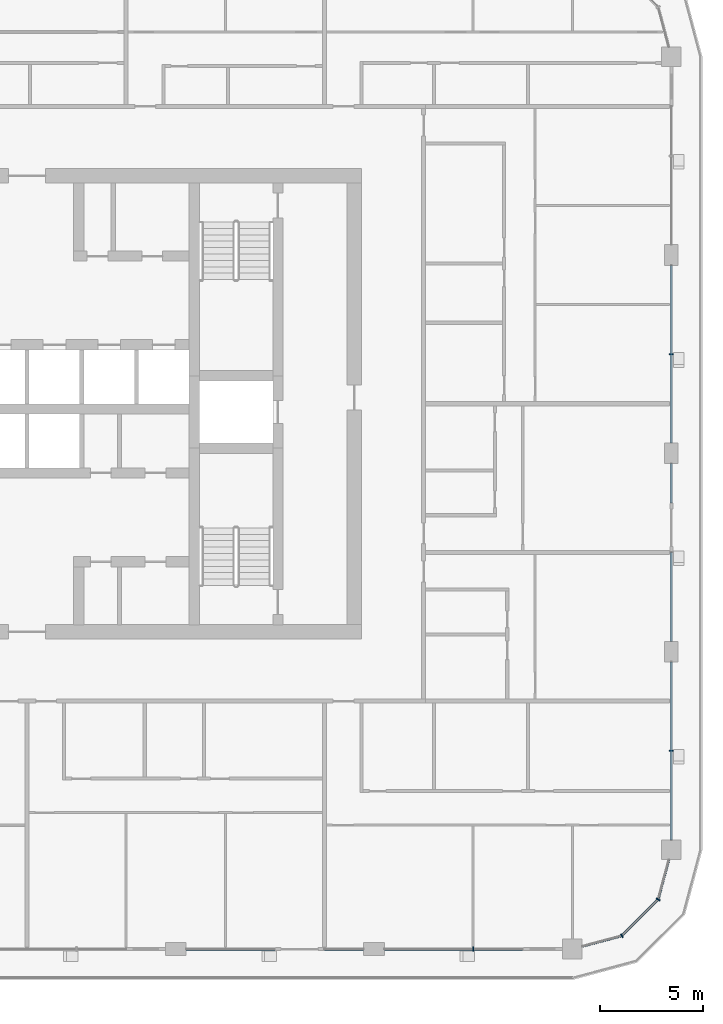
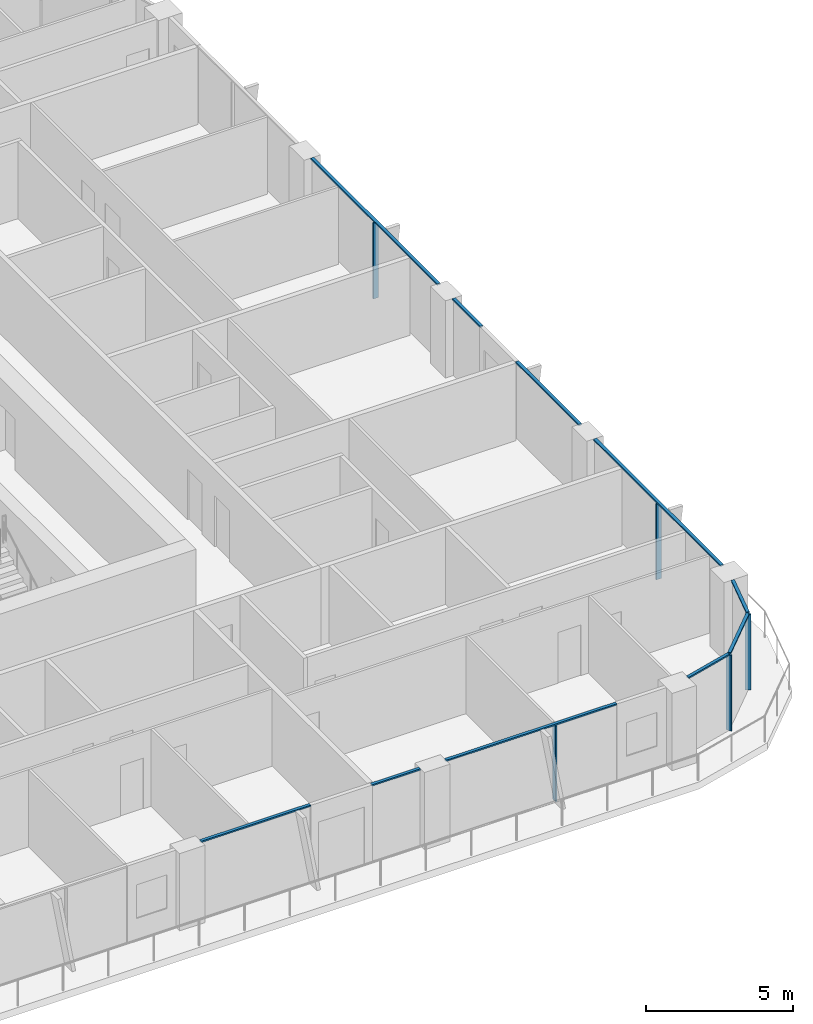
# One storey, part 4 of 22: 15 members, 6 elements without a shape of their own.
"""IFC4 building model written with IfcOpenShell, lengths in metres."""

from ifc_helpers import new_model, si_unit, direction, frame, origin, origin_2d, place, context, subcontext, project, spatial, rectangle, extrude, material, layer, layer_set, material_profile, profile_set, type_object, element, aggregate, save


model = new_model("IFC4")

# Units and contexts
model_context = context("Model", 3, precision=1e-05, world=origin(), true_north=direction((0.0, 1.0)))
body_context = subcontext(model_context, "Body", "Model", "MODEL_VIEW")
ifc_project = project(units=[si_unit("LENGTHUNIT", "METRE"), si_unit("AREAUNIT", "SQUARE_METRE"), si_unit("VOLUMEUNIT", "CUBIC_METRE"), si_unit("PLANEANGLEUNIT", "RADIAN"), si_unit("MASSUNIT", "GRAM", prefix="KILO")], contexts=[model_context])

# Site, building, storey
site_placement = place(None, origin())
site = spatial("IfcSite", under=ifc_project, at=site_placement, CompositionType="ELEMENT")
building_placement = place(site_placement, origin())
building = spatial("IfcBuilding", under=site, at=building_placement, Name="Madar Terraces", CompositionType="ELEMENT")
storey_placement = place(building_placement, frame((0.0, 0.0, 189.39990234375)))
storey = spatial("IfcBuildingStorey", under=building, at=storey_placement, Name="L49", CompositionType="ELEMENT", Elevation=189.39990234375)

# Curtain wall, member
ifc_material_1 = material(Name="Glass, ceramic frit dark grey, with black aluminium frame", Category="aluminium")
ifc_layer = layer(ifc_material_1, 0.199951171875)
ifc_layer_set = layer_set([ifc_layer], Name="Facade curtain wall, fritted glass")
curtain_wall_type = type_object("IfcCurtainWallType", Name="Facade curtain wall, fritted glass", PredefinedType="NOTDEFINED", material=ifc_layer_set)
curtain_wall_1_placement = place(storey_placement, origin())
curtain_wall_1 = element("IfcCurtainWall", 1, at=curtain_wall_1_placement, inside=storey, type_object=curtain_wall_type, Name="Outer skin curtain wall south bay 5", PredefinedType="NOTDEFINED")
ifc_material_2 = material(Name="Aluminium, black anodised", Category="aluminium")
ifc_material_profile_1 = material_profile(ifc_material_2, rectangle(XDim=0.199951171875, YDim=0.06005859375, at=origin_2d()), Name="Facade mullion 60x200")
ifc_profile_set_1 = profile_set([ifc_material_profile_1], Name="Aluminium, black anodised")
member_type_1 = type_object("IfcMemberType", Name="Facade mullion 60x200", PredefinedType="MULLION", material=ifc_profile_set_1)
member_1_placement = place(storey_placement, frame((52.800048828125, 0.0, 0.0), z_axis=(0.0, 0.0, 1.0), x_axis=(0.0, 1.0, 0.0)))
member_1 = element("IfcMember", 2, at=member_1_placement, type_object=member_type_1, Name="Mullion 1", PredefinedType="MULLION", context=body_context, shape_type="SweptSolid", body=[
    extrude(rectangle(XDim=0.199951171875, YDim=0.06005859375, at=origin_2d()), origin(), (0.0, 0.0, 1.0), 3.14013671875),
])

curtain_wall_2_placement = place(storey_placement, origin())
curtain_wall_2 = element("IfcCurtainWall", 3, at=curtain_wall_2_placement, inside=storey, type_object=curtain_wall_type, Name="Outer skin curtain wall east bay 1", PredefinedType="NOTDEFINED")
member_2_placement = place(storey_placement, frame((62.39990234375, 9.60009765625, 0.0), z_axis=(0.0, 0.0, 1.0), x_axis=(-1.0, 0.0, 0.0)))
member_2 = element("IfcMember", 4, at=member_2_placement, type_object=member_type_1, Name="Mullion 1", PredefinedType="MULLION", context=body_context, shape_type="SweptSolid", body=[
    extrude(rectangle(XDim=0.199951171875, YDim=0.06005859375, at=origin_2d()), origin(), (0.0, 0.0, 1.0), 3.14013671875),
])

curtain_wall_3_placement = place(storey_placement, origin())
curtain_wall_3 = element("IfcCurtainWall", 5, at=curtain_wall_3_placement, inside=storey, type_object=curtain_wall_type, Name="Outer skin curtain wall east bay 3", PredefinedType="NOTDEFINED")
member_3_placement = place(storey_placement, frame((62.39990234375, 28.800048828125, 0.0), z_axis=(0.0, 0.0, 1.0), x_axis=(-1.0, 0.0, 0.0)))
member_3 = element("IfcMember", 6, at=member_3_placement, type_object=member_type_1, Name="Mullion 1", PredefinedType="MULLION", context=body_context, shape_type="SweptSolid", body=[
    extrude(rectangle(XDim=0.199951171875, YDim=0.06005859375, at=origin_2d()), origin(), (0.0, 0.0, 1.0), 3.14013671875),
])

# Curtain wall, members
curtain_wall_4_placement = place(storey_placement, origin())
curtain_wall_4 = element("IfcCurtainWall", 7, at=curtain_wall_4_placement, inside=storey, type_object=curtain_wall_type, Name="Outer skin curtain wall south-east corner", PredefinedType="NOTDEFINED")
member_4_placement = place(storey_placement, frame((60.0, 0.64306640625, 0.0), z_axis=(0.0, 0.0, 1.0), x_axis=(-0.499999989586, 0.866025409797, 0.0)))
member_4 = element("IfcMember", 8, at=member_4_placement, type_object=member_type_1, Name="Mullion 1", PredefinedType="MULLION", context=body_context, shape_type="SweptSolid", body=[
    extrude(rectangle(XDim=0.199951171875, YDim=0.06005859375, at=origin_2d()), origin(), (0.0, 0.0, 1.0), 3.14013671875),
])
member_5_placement = place(storey_placement, frame((61.7568359375, 2.39990234375, 0.0), z_axis=(0.0, 0.0, 1.0), x_axis=(-0.866025409797, 0.499999989586, 0.0)))
member_5 = element("IfcMember", 9, at=member_5_placement, type_object=member_type_1, Name="Mullion 2", PredefinedType="MULLION", context=body_context, shape_type="SweptSolid", body=[
    extrude(rectangle(XDim=0.199951171875, YDim=0.06005859375, at=origin_2d()), origin(), (0.0, 0.0, 1.0), 3.14013671875),
])

curtain_wall_5_placement = place(storey_placement, origin())
curtain_wall_5 = element("IfcCurtainWall", 10, at=curtain_wall_5_placement, inside=storey, type_object=curtain_wall_type, Name="Outer skin curtain wall south bay 4", PredefinedType="NOTDEFINED")
ifc_material_3 = material(Name="Aluminium, black anodised", Category="aluminium")
ifc_material_profile_2 = material_profile(ifc_material_3, rectangle(XDim=0.1201171875, YDim=0.06005859375, at=origin_2d()), Name="Facade transom 60x120")
ifc_profile_set_2 = profile_set([ifc_material_profile_2], Name="Aluminium, black anodised")
member_type_2 = type_object("IfcMemberType", Name="Facade transom 60x120", PredefinedType="USERDEFINED", material=ifc_profile_set_2)
member_6_placement = place(storey_placement, frame((38.89990234375, 0.0, 3.170166015625), z_axis=(1.0, 0.0, 0.0), x_axis=(0.0, 1.0, 0.0)))
member_6 = element("IfcMember", 11, at=member_6_placement, type_object=member_type_2, Name="Transom 1", ObjectType="TRANSOM", PredefinedType="USERDEFINED", context=body_context, shape_type="SweptSolid", body=[
    extrude(rectangle(XDim=0.1201171875, YDim=0.06005859375, at=origin_2d()), origin(), (0.0, 0.0, 1.0), 4.300048828125),
])
member_7_placement = place(storey_placement, frame((45.60009765625, 0.0, 3.170166015625), z_axis=(1.0, 0.0, 0.0), x_axis=(0.0, 1.0, 0.0)))
member_7 = element("IfcMember", 12, at=member_7_placement, type_object=member_type_2, Name="Transom 2", ObjectType="TRANSOM", PredefinedType="USERDEFINED", context=body_context, shape_type="SweptSolid", body=[
    extrude(rectangle(XDim=0.1201171875, YDim=0.06005859375, at=origin_2d()), origin(), (0.0, 0.0, 1.0), 1.89990234375),
])
aggregate(curtain_wall_5, [member_6, member_7])

# Member
member_8_placement = place(storey_placement, frame((48.5, 0.0, 3.170166015625), z_axis=(1.0, 0.0, 0.0), x_axis=(0.0, 1.0, 0.0)))
member_8 = element("IfcMember", 13, at=member_8_placement, type_object=member_type_2, Name="Transom 1", ObjectType="TRANSOM", PredefinedType="USERDEFINED", context=body_context, shape_type="SweptSolid", body=[
    extrude(rectangle(XDim=0.1201171875, YDim=0.06005859375, at=origin_2d()), origin(), (0.0, 0.0, 1.0), 6.699951171875),
])

aggregate(curtain_wall_1, [member_1, member_8])

member_9_placement = place(storey_placement, frame((62.39990234375, 5.27490234375, 3.170166015625), z_axis=(0.0, 1.0, 0.0), x_axis=(-1.0, 0.0, 0.0)))
member_9 = element("IfcMember", 14, at=member_9_placement, type_object=member_type_2, Name="Transom 1", ObjectType="TRANSOM", PredefinedType="USERDEFINED", context=body_context, shape_type="SweptSolid", body=[
    extrude(rectangle(XDim=0.1201171875, YDim=0.06005859375, at=origin_2d()), origin(), (0.0, 0.0, 1.0), 8.625),
])

aggregate(curtain_wall_2, [member_2, member_9])

# Curtain wall, members
curtain_wall_6_placement = place(storey_placement, origin())
curtain_wall_6 = element("IfcCurtainWall", 15, at=curtain_wall_6_placement, inside=storey, type_object=curtain_wall_type, Name="Outer skin curtain wall east bay 2", PredefinedType="NOTDEFINED")
member_10_placement = place(storey_placement, frame((62.39990234375, 14.89990234375, 3.170166015625), z_axis=(0.0, 1.0, 0.0), x_axis=(-1.0, 0.0, 0.0)))
member_10 = element("IfcMember", 16, at=member_10_placement, type_object=member_type_2, Name="Transom 1", ObjectType="TRANSOM", PredefinedType="USERDEFINED", context=body_context, shape_type="SweptSolid", body=[
    extrude(rectangle(XDim=0.1201171875, YDim=0.06005859375, at=origin_2d()), origin(), (0.0, 0.0, 1.0), 4.300048828125),
])
member_11_placement = place(storey_placement, frame((62.39990234375, 21.60009765625, 3.170166015625), z_axis=(0.0, 1.0, 0.0), x_axis=(-1.0, 0.0, 0.0)))
member_11 = element("IfcMember", 17, at=member_11_placement, type_object=member_type_2, Name="Transom 2", ObjectType="TRANSOM", PredefinedType="USERDEFINED", context=body_context, shape_type="SweptSolid", body=[
    extrude(rectangle(XDim=0.1201171875, YDim=0.06005859375, at=origin_2d()), origin(), (0.0, 0.0, 1.0), 1.89990234375),
])
aggregate(curtain_wall_6, [member_10, member_11])

# Member
member_12_placement = place(storey_placement, frame((62.39990234375, 24.5, 3.170166015625), z_axis=(0.0, 1.0, 0.0), x_axis=(-1.0, 0.0, 0.0)))
member_12 = element("IfcMember", 18, at=member_12_placement, type_object=member_type_2, Name="Transom 1", ObjectType="TRANSOM", PredefinedType="USERDEFINED", context=body_context, shape_type="SweptSolid", body=[
    extrude(rectangle(XDim=0.1201171875, YDim=0.06005859375, at=origin_2d()), origin(), (0.0, 0.0, 1.0), 8.60009765625),
])

aggregate(curtain_wall_3, [member_3, member_12])

member_13_placement = place(storey_placement, frame((58.074951171875, 0.127197265625, 3.170166015625), z_axis=(0.96592251241, 0.258831412352, 0.0), x_axis=(-0.258831412352, 0.96592251241, 0.0)))
member_13 = element("IfcMember", 19, at=member_13_placement, type_object=member_type_2, Name="Transom 1", ObjectType="TRANSOM", PredefinedType="USERDEFINED", context=body_context, shape_type="SweptSolid", body=[
    extrude(rectangle(XDim=0.1201171875, YDim=0.06005859375, at=origin_2d()), origin(), (0.0, 0.0, 1.0), 1.962890625),
])

member_14_placement = place(storey_placement, frame((60.021240234375, 0.664306640625, 3.170166015625), z_axis=(0.707056433593, 0.707157125196, 0.0), x_axis=(-0.707157125196, 0.707056433593, 0.0)))
member_14 = element("IfcMember", 20, at=member_14_placement, type_object=member_type_2, Name="Transom 2", ObjectType="TRANSOM", PredefinedType="USERDEFINED", context=body_context, shape_type="SweptSolid", body=[
    extrude(rectangle(XDim=0.1201171875, YDim=0.06005859375, at=origin_2d()), origin(), (0.0, 0.0, 1.0), 2.424560546875),
])

member_15_placement = place(storey_placement, frame((61.7646484375, 2.428955078125, 3.170166015625), z_axis=(0.258831412352, 0.96592251241, 0.0), x_axis=(-0.96592251241, 0.258831412352, 0.0)))
member_15 = element("IfcMember", 21, at=member_15_placement, type_object=member_type_2, Name="Transom 3", ObjectType="TRANSOM", PredefinedType="USERDEFINED", context=body_context, shape_type="SweptSolid", body=[
    extrude(rectangle(XDim=0.1201171875, YDim=0.06005859375, at=origin_2d()), origin(), (0.0, 0.0, 1.0), 1.962890625),
])

aggregate(curtain_wall_4, [member_4, member_13, member_5, member_14, member_15])

save(model, "model.ifc")
